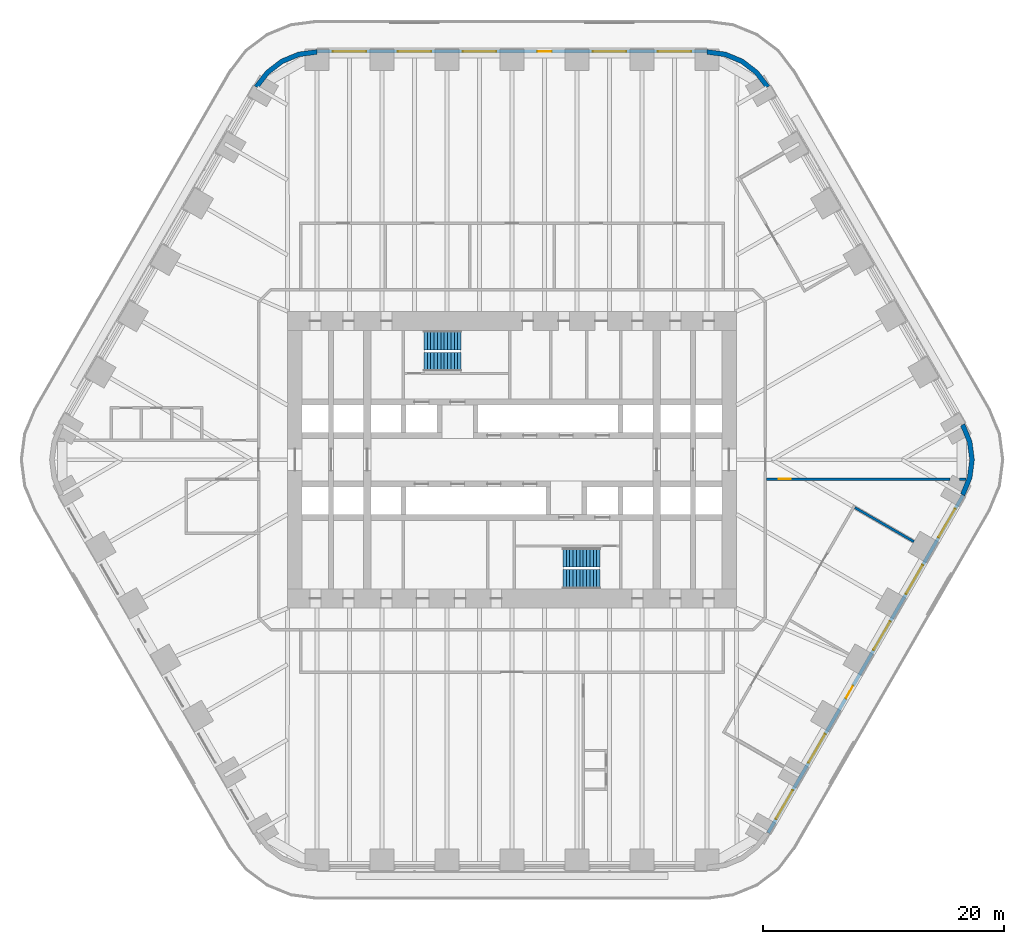
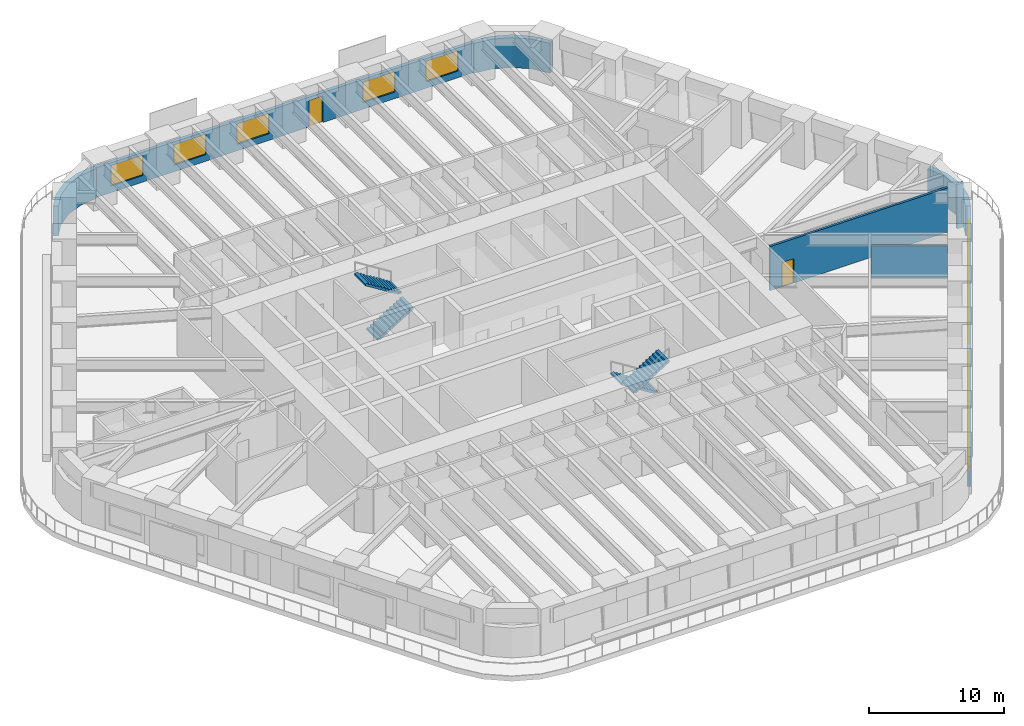
# One storey, part 20 of 23: 10 windows, 8 walls, 4 stair flights, 3 doors, 13 openings, 2 elements without a shape of their own.
"""IFC4 building model written with IfcOpenShell, lengths in metres."""

from ifc_helpers import new_model, si_unit, direction, frame, frame_2d, origin, place, context, subcontext, project, spatial, polyline, rectangle, outline, extrude, material, layer, layer_set, type_object, element, fill, aggregate, save


model = new_model("IFC4")

# Units and contexts
model_context = context("Model", 3, precision=1e-05, world=origin(), true_north=direction((0.0, 1.0)))
body_context = subcontext(model_context, "Body", "Model", "MODEL_VIEW")
ifc_project = project(units=[si_unit("LENGTHUNIT", "METRE"), si_unit("AREAUNIT", "SQUARE_METRE"), si_unit("VOLUMEUNIT", "CUBIC_METRE"), si_unit("PLANEANGLEUNIT", "RADIAN"), si_unit("MASSUNIT", "GRAM", prefix="KILO")], contexts=[model_context])

# Site, building, storey
site_placement = place(None, origin())
site = spatial("IfcSite", under=ifc_project, at=site_placement, CompositionType="ELEMENT")
building_placement = place(site_placement, origin())
building = spatial("IfcBuilding", under=site, at=building_placement, Name="Tarfa Lantern Tower", CompositionType="ELEMENT")
storey_placement = place(building_placement, frame((0.0, 0.0, 57.10009765625)))
storey = spatial("IfcBuildingStorey", under=building, at=storey_placement, Name="L12", CompositionType="ELEMENT", Elevation=57.10009765625)

# Wall, openings, door, windows
ifc_material_1 = material(Name="Limestone cladding on blockwork", Category="masonry")
ifc_layer_1 = layer(ifc_material_1, 0.300048828125)
ifc_layer_set_1 = layer_set([ifc_layer_1], Name="EW1 STONE-CLAD WALL 300")
wall_type_1 = type_object("IfcWallType", Name="EW1 STONE-CLAD WALL 300", PredefinedType="SOLIDWALL", material=ifc_layer_set_1)
wall_1_placement = place(storey_placement, frame((16.165771484375, 33.85009765625, 0.0), z_axis=(0.0, 0.0, 1.0), x_axis=(-1.0, 0.0, 0.0)))
wall_1 = element("IfcWall", 1, at=wall_1_placement, inside=storey, type_object=wall_type_1, Name="Stone wall N", PredefinedType="SOLIDWALL", context=body_context, shape_type="SweptSolid", body=[
    extrude(rectangle(XDim=32.33154296875, YDim=0.300048828125, at=frame_2d((16.165771484375, 0.0))), origin(), (0.0, 0.0, 1.0), 2.699951171875),
])
opening_1_placement = place(wall_1_placement, frame((1.3193359375, 0.0, 0.60009765625)))
opening_1 = element("IfcOpeningElement", 2, at=opening_1_placement, cuts=wall_1, Name="Opening W2", PredefinedType="OPENING", context=body_context, shape_type="SweptSolid", body=[
    extrude(rectangle(XDim=2.75, YDim=1.85009765625, at=frame_2d((1.375, 0.925048828125))), frame((0.0, 0.159912109375, 0.0), z_axis=(0.0, -1.0, 0.0), x_axis=(1.0, 0.0, 0.0)), (0.0, 0.0, 1.0), 0.320068359375),
])
opening_2_placement = place(wall_1_placement, frame((6.7080078125, 0.0, 0.60009765625)))
opening_2 = element("IfcOpeningElement", 3, at=opening_2_placement, cuts=wall_1, Name="Opening W2", PredefinedType="OPENING", context=body_context, shape_type="SweptSolid", body=[
    extrude(rectangle(XDim=2.75, YDim=1.85009765625, at=frame_2d((1.375, 0.925048828125))), frame((0.0, 0.159912109375, 0.0), z_axis=(0.0, -1.0, 0.0), x_axis=(1.0, 0.0, 0.0)), (0.0, 0.0, 1.0), 0.320068359375),
])
opening_3_placement = place(wall_1_placement, frame((12.87158203125, 0.0, 0.0)))
opening_3 = element("IfcOpeningElement", 4, at=opening_3_placement, cuts=wall_1, Name="Opening D49", PredefinedType="OPENING", context=body_context, shape_type="SweptSolid", body=[
    extrude(rectangle(XDim=1.199951171875, YDim=2.39990234375, at=frame_2d((0.60009765625, 1.199951171875))), frame((0.0, 0.159912109375, 0.0), z_axis=(0.0, -1.0, 0.0), x_axis=(1.0, 0.0, 0.0)), (0.0, 0.0, 1.0), 0.320068359375),
])
opening_4_placement = place(wall_1_placement, frame((17.485107421875, 0.0, 0.60009765625)))
opening_4 = element("IfcOpeningElement", 5, at=opening_4_placement, cuts=wall_1, Name="Opening W2", PredefinedType="OPENING", context=body_context, shape_type="SweptSolid", body=[
    extrude(rectangle(XDim=2.75, YDim=1.85009765625, at=frame_2d((1.375, 0.925048828125))), frame((0.0, 0.159912109375, 0.0), z_axis=(0.0, -1.0, 0.0), x_axis=(1.0, 0.0, 0.0)), (0.0, 0.0, 1.0), 0.320068359375),
])
opening_5_placement = place(wall_1_placement, frame((22.873779296875, 0.0, 0.60009765625)))
opening_5 = element("IfcOpeningElement", 6, at=opening_5_placement, cuts=wall_1, Name="Opening W2", PredefinedType="OPENING", context=body_context, shape_type="SweptSolid", body=[
    extrude(rectangle(XDim=2.75, YDim=1.85009765625, at=frame_2d((1.375, 0.925048828125))), frame((0.0, 0.159912109375, 0.0), z_axis=(0.0, -1.0, 0.0), x_axis=(1.0, 0.0, 0.0)), (0.0, 0.0, 1.0), 0.320068359375),
])
opening_6_placement = place(wall_1_placement, frame((28.26220703125, 0.0, 0.60009765625)))
opening_6 = element("IfcOpeningElement", 7, at=opening_6_placement, cuts=wall_1, Name="Opening W2", PredefinedType="OPENING", context=body_context, shape_type="SweptSolid", body=[
    extrude(rectangle(XDim=2.75, YDim=1.85009765625, at=frame_2d((1.375, 0.925048828125))), frame((0.0, 0.159912109375, 0.0), z_axis=(0.0, -1.0, 0.0), x_axis=(1.0, 0.0, 0.0)), (0.0, 0.0, 1.0), 0.320068359375),
])
ifc_material_2 = material(Name="Aluminium framed glazed door", Category="aluminium")
door_type_1 = type_object("IfcDoorType", Name="BE3 BALCONY DOOR 1200x2400", OperationType="SINGLE_SWING_RIGHT", PredefinedType="DOOR", material=ifc_material_2)
door_1_placement = place(opening_3_placement, origin())
door_1 = element("IfcDoor", 8, at=door_1_placement, inside=storey, type_object=door_type_1, Name="Balcony door N", OperationType="SINGLE_SWING_RIGHT", OverallHeight=2.39990234375, OverallWidth=1.199951171875, PredefinedType="DOOR", context=body_context, shape_type="SweptSolid", body=[
    extrude(rectangle(XDim=1.199951171875, YDim=2.39990234375, at=frame_2d((0.60009765625, 1.199951171875))), frame((0.0, 0.02490234375, 0.0), z_axis=(0.0, -1.0, 0.0), x_axis=(1.0, 0.0, 0.0)), (0.0, 0.0, 1.0), 0.050048828125),
])
fill(opening_3, door_1)
ifc_material_3 = material(Name="Aluminium frame, double glazed", Category="aluminium")
window_type = type_object("IfcWindowType", Name="W2 FULL-HEIGHT GLAZING 2750x1850", PartitioningType="SINGLE_PANEL", PredefinedType="WINDOW", material=ifc_material_3)
window_1_placement = place(opening_1_placement, origin())
window_1 = element("IfcWindow", 9, at=window_1_placement, inside=storey, type_object=window_type, Name="Window N 1", OverallHeight=1.85009765625, OverallWidth=2.75, PartitioningType="SINGLE_PANEL", PredefinedType="WINDOW", context=body_context, shape_type="SweptSolid", body=[
    extrude(rectangle(XDim=2.75, YDim=1.85009765625, at=frame_2d((1.375, 0.925048828125))), frame((0.0, 0.030029296875, 0.0), z_axis=(0.0, -1.0, 0.0), x_axis=(1.0, 0.0, 0.0)), (0.0, 0.0, 1.0), 0.06005859375),
])
fill(opening_1, window_1)
window_2_placement = place(opening_2_placement, origin())
window_2 = element("IfcWindow", 10, at=window_2_placement, inside=storey, type_object=window_type, Name="Window N 2", OverallHeight=1.85009765625, OverallWidth=2.75, PartitioningType="SINGLE_PANEL", PredefinedType="WINDOW", context=body_context, shape_type="SweptSolid", body=[
    extrude(rectangle(XDim=2.75, YDim=1.85009765625, at=frame_2d((1.375, 0.925048828125))), frame((0.0, 0.030029296875, 0.0), z_axis=(0.0, -1.0, 0.0), x_axis=(1.0, 0.0, 0.0)), (0.0, 0.0, 1.0), 0.06005859375),
])
fill(opening_2, window_2)
window_3_placement = place(opening_4_placement, origin())
window_3 = element("IfcWindow", 11, at=window_3_placement, inside=storey, type_object=window_type, Name="Window N 4", OverallHeight=1.85009765625, OverallWidth=2.75, PartitioningType="SINGLE_PANEL", PredefinedType="WINDOW", context=body_context, shape_type="SweptSolid", body=[
    extrude(rectangle(XDim=2.75, YDim=1.85009765625, at=frame_2d((1.375, 0.925048828125))), frame((0.0, 0.030029296875, 0.0), z_axis=(0.0, -1.0, 0.0), x_axis=(1.0, 0.0, 0.0)), (0.0, 0.0, 1.0), 0.06005859375),
])
fill(opening_4, window_3)
window_4_placement = place(opening_5_placement, origin())
window_4 = element("IfcWindow", 12, at=window_4_placement, inside=storey, type_object=window_type, Name="Window N 5", OverallHeight=1.85009765625, OverallWidth=2.75, PartitioningType="SINGLE_PANEL", PredefinedType="WINDOW", context=body_context, shape_type="SweptSolid", body=[
    extrude(rectangle(XDim=2.75, YDim=1.85009765625, at=frame_2d((1.375, 0.925048828125))), frame((0.0, 0.030029296875, 0.0), z_axis=(0.0, -1.0, 0.0), x_axis=(1.0, 0.0, 0.0)), (0.0, 0.0, 1.0), 0.06005859375),
])
fill(opening_5, window_4)
window_5_placement = place(opening_6_placement, origin())
window_5 = element("IfcWindow", 13, at=window_5_placement, inside=storey, type_object=window_type, Name="Window N 6", OverallHeight=1.85009765625, OverallWidth=2.75, PartitioningType="SINGLE_PANEL", PredefinedType="WINDOW", context=body_context, shape_type="SweptSolid", body=[
    extrude(rectangle(XDim=2.75, YDim=1.85009765625, at=frame_2d((1.375, 0.925048828125))), frame((0.0, 0.030029296875, 0.0), z_axis=(0.0, -1.0, 0.0), x_axis=(1.0, 0.0, 0.0)), (0.0, 0.0, 1.0), 0.06005859375),
])
fill(opening_6, window_5)

wall_2_placement = place(storey_placement, frame((21.232177734375, -30.925048828125, 0.0), z_axis=(0.0, 0.0, 1.0), x_axis=(0.499999163675, 0.866025886636, 0.0)))
wall_2 = element("IfcWall", 14, at=wall_2_placement, inside=storey, type_object=wall_type_1, Name="Stone wall SE", PredefinedType="SOLIDWALL", context=body_context, shape_type="SweptSolid", body=[
    extrude(rectangle(XDim=32.33154296875, YDim=0.300048828125, at=frame_2d((16.165771484375, 0.0))), origin(), (0.0, 0.0, 1.0), 2.699951171875),
])
opening_7_placement = place(wall_2_placement, frame((1.3193359375, 0.0, 0.60009765625)))
opening_7 = element("IfcOpeningElement", 15, at=opening_7_placement, cuts=wall_2, Name="Opening W2", PredefinedType="OPENING", context=body_context, shape_type="SweptSolid", body=[
    extrude(rectangle(XDim=2.75, YDim=1.85009765625, at=frame_2d((1.375, 0.925048828125))), frame((0.0, 0.159912109375, 0.0), z_axis=(0.0, -1.0, 0.0), x_axis=(1.0, 0.0, 0.0)), (0.0, 0.0, 1.0), 0.320068359375),
])
opening_8_placement = place(wall_2_placement, frame((6.7080078125, 0.0, 0.60009765625)))
opening_8 = element("IfcOpeningElement", 16, at=opening_8_placement, cuts=wall_2, Name="Opening W2", PredefinedType="OPENING", context=body_context, shape_type="SweptSolid", body=[
    extrude(rectangle(XDim=2.75, YDim=1.85009765625, at=frame_2d((1.375, 0.925048828125))), frame((0.0, 0.159912109375, 0.0), z_axis=(0.0, -1.0, 0.0), x_axis=(1.0, 0.0, 0.0)), (0.0, 0.0, 1.0), 0.320068359375),
])
opening_9_placement = place(wall_2_placement, frame((12.87158203125, 0.0, 0.0)))
opening_9 = element("IfcOpeningElement", 17, at=opening_9_placement, cuts=wall_2, Name="Opening D50", PredefinedType="OPENING", context=body_context, shape_type="SweptSolid", body=[
    extrude(rectangle(XDim=1.199951171875, YDim=2.39990234375, at=frame_2d((0.60009765625, 1.199951171875))), frame((0.0, 0.159912109375, 0.0), z_axis=(0.0, -1.0, 0.0), x_axis=(1.0, 0.0, 0.0)), (0.0, 0.0, 1.0), 0.320068359375),
])
opening_10_placement = place(wall_2_placement, frame((17.485107421875, 0.0, 0.60009765625)))
opening_10 = element("IfcOpeningElement", 18, at=opening_10_placement, cuts=wall_2, Name="Opening W2", PredefinedType="OPENING", context=body_context, shape_type="SweptSolid", body=[
    extrude(rectangle(XDim=2.75, YDim=1.85009765625, at=frame_2d((1.375, 0.925048828125))), frame((0.0, 0.159912109375, 0.0), z_axis=(0.0, -1.0, 0.0), x_axis=(1.0, 0.0, 0.0)), (0.0, 0.0, 1.0), 0.320068359375),
])
opening_11_placement = place(wall_2_placement, frame((22.873779296875, 0.0, 0.60009765625)))
opening_11 = element("IfcOpeningElement", 19, at=opening_11_placement, cuts=wall_2, Name="Opening W2", PredefinedType="OPENING", context=body_context, shape_type="SweptSolid", body=[
    extrude(rectangle(XDim=2.75, YDim=1.85009765625, at=frame_2d((1.375, 0.925048828125))), frame((0.0, 0.159912109375, 0.0), z_axis=(0.0, -1.0, 0.0), x_axis=(1.0, 0.0, 0.0)), (0.0, 0.0, 1.0), 0.320068359375),
])
opening_12_placement = place(wall_2_placement, frame((28.26220703125, 0.0, 0.60009765625)))
opening_12 = element("IfcOpeningElement", 20, at=opening_12_placement, cuts=wall_2, Name="Opening W2", PredefinedType="OPENING", context=body_context, shape_type="SweptSolid", body=[
    extrude(rectangle(XDim=2.75, YDim=1.85009765625, at=frame_2d((1.375, 0.925048828125))), frame((0.0, 0.159912109375, 0.0), z_axis=(0.0, -1.0, 0.0), x_axis=(1.0, 0.0, 0.0)), (0.0, 0.0, 1.0), 0.320068359375),
])
door_2_placement = place(opening_9_placement, origin())
door_2 = element("IfcDoor", 21, at=door_2_placement, inside=storey, type_object=door_type_1, Name="Balcony door SE", OperationType="SINGLE_SWING_RIGHT", OverallHeight=2.39990234375, OverallWidth=1.199951171875, PredefinedType="DOOR", context=body_context, shape_type="SweptSolid", body=[
    extrude(rectangle(XDim=1.199951171875, YDim=2.39990234375, at=frame_2d((0.60009765625, 1.199951171875))), frame((0.0, 0.02490234375, 0.0), z_axis=(0.0, -1.0, 0.0), x_axis=(1.0, 0.0, 0.0)), (0.0, 0.0, 1.0), 0.050048828125),
])
fill(opening_9, door_2)
window_6_placement = place(opening_7_placement, origin())
window_6 = element("IfcWindow", 22, at=window_6_placement, inside=storey, type_object=window_type, Name="Window SE 1", OverallHeight=1.85009765625, OverallWidth=2.75, PartitioningType="SINGLE_PANEL", PredefinedType="WINDOW", context=body_context, shape_type="SweptSolid", body=[
    extrude(rectangle(XDim=2.75, YDim=1.85009765625, at=frame_2d((1.375, 0.925048828125))), frame((0.0, 0.030029296875, 0.0), z_axis=(0.0, -1.0, 0.0), x_axis=(1.0, 0.0, 0.0)), (0.0, 0.0, 1.0), 0.06005859375),
])
fill(opening_7, window_6)
window_7_placement = place(opening_8_placement, origin())
window_7 = element("IfcWindow", 23, at=window_7_placement, inside=storey, type_object=window_type, Name="Window SE 2", OverallHeight=1.85009765625, OverallWidth=2.75, PartitioningType="SINGLE_PANEL", PredefinedType="WINDOW", context=body_context, shape_type="SweptSolid", body=[
    extrude(rectangle(XDim=2.75, YDim=1.85009765625, at=frame_2d((1.375, 0.925048828125))), frame((0.0, 0.030029296875, 0.0), z_axis=(0.0, -1.0, 0.0), x_axis=(1.0, 0.0, 0.0)), (0.0, 0.0, 1.0), 0.06005859375),
])
fill(opening_8, window_7)
window_8_placement = place(opening_10_placement, origin())
window_8 = element("IfcWindow", 24, at=window_8_placement, inside=storey, type_object=window_type, Name="Window SE 4", OverallHeight=1.85009765625, OverallWidth=2.75, PartitioningType="SINGLE_PANEL", PredefinedType="WINDOW", context=body_context, shape_type="SweptSolid", body=[
    extrude(rectangle(XDim=2.75, YDim=1.85009765625, at=frame_2d((1.375, 0.925048828125))), frame((0.0, 0.030029296875, 0.0), z_axis=(0.0, -1.0, 0.0), x_axis=(1.0, 0.0, 0.0)), (0.0, 0.0, 1.0), 0.06005859375),
])
fill(opening_10, window_8)
window_9_placement = place(opening_11_placement, origin())
window_9 = element("IfcWindow", 25, at=window_9_placement, inside=storey, type_object=window_type, Name="Window SE 5", OverallHeight=1.85009765625, OverallWidth=2.75, PartitioningType="SINGLE_PANEL", PredefinedType="WINDOW", context=body_context, shape_type="SweptSolid", body=[
    extrude(rectangle(XDim=2.75, YDim=1.85009765625, at=frame_2d((1.375, 0.925048828125))), frame((0.0, 0.030029296875, 0.0), z_axis=(0.0, -1.0, 0.0), x_axis=(1.0, 0.0, 0.0)), (0.0, 0.0, 1.0), 0.06005859375),
])
fill(opening_11, window_9)
window_10_placement = place(opening_12_placement, origin())
window_10 = element("IfcWindow", 26, at=window_10_placement, inside=storey, type_object=window_type, Name="Window SE 6", OverallHeight=1.85009765625, OverallWidth=2.75, PartitioningType="SINGLE_PANEL", PredefinedType="WINDOW", context=body_context, shape_type="SweptSolid", body=[
    extrude(rectangle(XDim=2.75, YDim=1.85009765625, at=frame_2d((1.375, 0.925048828125))), frame((0.0, 0.030029296875, 0.0), z_axis=(0.0, -1.0, 0.0), x_axis=(1.0, 0.0, 0.0)), (0.0, 0.0, 1.0), 0.06005859375),
])
fill(opening_12, window_10)

# Walls
ifc_layer_2 = layer(ifc_material_1, 0.39990234375)
ifc_layer_set_2 = layer_set([ifc_layer_2], Name="EW2 CURVED STONE CORNER 400")
wall_type_2 = type_object("IfcWallType", Name="EW2 CURVED STONE CORNER 400", PredefinedType="SOLIDWALL", material=ifc_layer_set_2)
wall_3_placement = place(storey_placement, origin())
element("IfcWall", 27, at=wall_3_placement, inside=storey, type_object=wall_type_2, Name="Stone corner NE-N", PredefinedType="SOLIDWALL", context=body_context, shape_type="SweptSolid", body=[
    extrude(outline(polyline([(21.362060546875, 31.0), (20.408447265625, 32.24267578125), (19.165771484375, 33.196044921875), (17.71875, 33.795654296875), (16.165771484375, 34.0), (16.165771484375, 33.60009765625), (17.615234375, 33.4091796875), (18.9658203125, 32.849853515625), (20.12548828125, 31.959716796875), (21.015625, 30.800048828125), (21.362060546875, 31.0)])), origin(), (0.0, 0.0, 1.0), 2.699951171875),
])
wall_4_placement = place(storey_placement, origin())
element("IfcWall", 28, at=wall_4_placement, inside=storey, type_object=wall_type_2, Name="Stone corner N-NW", PredefinedType="SOLIDWALL", context=body_context, shape_type="SweptSolid", body=[
    extrude(outline(polyline([(-16.165771484375, 34.0), (-17.71875, 33.795654296875), (-19.165771484375, 33.196044921875), (-20.408447265625, 32.24267578125), (-21.362060546875, 31.0), (-21.015625, 30.800048828125), (-20.12548828125, 31.959716796875), (-18.9658203125, 32.849853515625), (-17.615234375, 33.4091796875), (-16.165771484375, 33.60009765625), (-16.165771484375, 34.0)])), origin(), (0.0, 0.0, 1.0), 2.699951171875),
])
wall_5_placement = place(storey_placement, origin())
element("IfcWall", 29, at=wall_5_placement, inside=storey, type_object=wall_type_2, Name="Stone corner SE-NE", PredefinedType="SOLIDWALL", context=body_context, shape_type="SweptSolid", body=[
    extrude(outline(polyline([(37.52783203125, -3.0), (38.127197265625, -1.552978515625), (38.33154296875, 0.0), (38.127197265625, 1.552978515625), (37.52783203125, 3.0), (37.181396484375, 2.800048828125), (37.74072265625, 1.449462890625), (37.931640625, 0.0), (37.74072265625, -1.449462890625), (37.181396484375, -2.800048828125), (37.52783203125, -3.0)])), origin(), (0.0, 0.0, 1.0), 2.699951171875),
])
ifc_material_4 = material(Name="Gypsum board on steel studs", Category="steel")
ifc_layer_3 = layer(ifc_material_4, 0.2099609375)
ifc_layer_set_3 = layer_set([ifc_layer_3], Name="IW2 ACOUSTIC PARTITION 200")
wall_type_3 = type_object("IfcWallType", Name="IW2 ACOUSTIC PARTITION 200", PredefinedType="PARTITIONING", material=ifc_layer_set_3)
wall_6_placement = place(storey_placement, frame((28.4248046875, -3.966552734375, 0.0), z_axis=(0.0, 0.0, 1.0), x_axis=(0.866011447264, -0.500024172624, 0.0)))
element("IfcWall", 30, at=wall_6_placement, inside=storey, type_object=wall_type_3, Name="Partition", PredefinedType="PARTITIONING", context=body_context, shape_type="SweptSolid", body=[
    extrude(rectangle(XDim=5.650146484375, YDim=0.199951171875, at=frame_2d((2.8251953125, 0.0))), origin(), (0.0, 0.0, 1.0), 2.94384765625),
])

# Wall, opening, door
wall_7_placement = place(storey_placement, frame((21.10009765625, -1.60009765625, 0.0), z_axis=(0.0, 0.0, 1.0), x_axis=(1.0, 0.0, 0.0)))
wall_7 = element("IfcWall", 31, at=wall_7_placement, inside=storey, type_object=wall_type_3, Name="Partition", PredefinedType="PARTITIONING", context=body_context, shape_type="SweptSolid", body=[
    extrude(rectangle(XDim=15.21533203125, YDim=0.199951171875, at=frame_2d((7.607666015625, 0.0))), origin(), (0.0, 0.0, 1.0), 4.0),
])
opening_13_placement = place(wall_7_placement, frame((1.021484375, 0.0, 0.0)))
opening_13 = element("IfcOpeningElement", 32, at=opening_13_placement, cuts=wall_7, Name="Opening D46", PredefinedType="OPENING", context=body_context, shape_type="SweptSolid", body=[
    extrude(rectangle(XDim=1.0, YDim=2.199951171875, at=frame_2d((0.5, 1.10009765625))), frame((0.0, 0.10986328125, 0.0), z_axis=(0.0, -1.0, 0.0), x_axis=(1.0, 0.0, 0.0)), (0.0, 0.0, 1.0), 0.219970703125),
])
ifc_material_5 = material(Name="Timber door", Category="wood")
door_type_2 = type_object("IfcDoorType", Name="DR1 ROOM DOOR 1000x2200", OperationType="SINGLE_SWING_LEFT", PredefinedType="DOOR", material=ifc_material_5)
door_3_placement = place(opening_13_placement, frame((1.0, 0.0, 0.0), z_axis=(0.0, 0.0, 1.0), x_axis=(-1.0, 0.0, 0.0)))
door_3 = element("IfcDoor", 33, at=door_3_placement, inside=storey, type_object=door_type_2, Name="Zone door", OperationType="SINGLE_SWING_LEFT", OverallHeight=2.199951171875, OverallWidth=1.0, PredefinedType="DOOR", context=body_context, shape_type="SweptSolid", body=[
    extrude(rectangle(XDim=1.0, YDim=2.199951171875, at=frame_2d((0.5, 1.10009765625))), frame((0.0, 0.02490234375, 0.0), z_axis=(0.0, -1.0, 0.0), x_axis=(1.0, 0.0, 0.0)), (0.0, 0.0, 1.0), 0.050048828125),
])
fill(opening_13, door_3)

# Wall
wall_8_placement = place(storey_placement, frame((37.102783203125, -1.60009765625, 0.0), z_axis=(0.0, 0.0, 1.0), x_axis=(1.0, 0.0, 0.0)))
element("IfcWall", 34, at=wall_8_placement, inside=storey, type_object=wall_type_3, Name="Partition", PredefinedType="PARTITIONING", context=body_context, shape_type="SweptSolid", body=[
    extrude(rectangle(XDim=0.534423828125, YDim=0.199951171875, at=frame_2d((0.26708984375, 0.0))), origin(), (0.0, 0.0, 1.0), 4.0),
])

# Stair, stair flights
ifc_material_6 = material(Name="Concrete C40/50", Category="concrete")
stair_type = type_object("IfcStairType", Name="ST-T10 HALF-TURN STAIR 4200 RISE", PredefinedType="HALF_TURN_STAIR", material=ifc_material_6)
stair_1_placement = place(storey_placement, origin())
stair_1 = element("IfcStair", 35, at=stair_1_placement, inside=storey, type_object=stair_type, Name="Stair ST1", PredefinedType="HALF_TURN_STAIR")
stair_flight_type = type_object("IfcStairFlightType", Name="SF1 STAIR FLIGHT", PredefinedType="STRAIGHT", material=ifc_material_6)
stair_flight_1_placement = place(storey_placement, frame((-7.300048828125, 8.10009765625, 0.0), z_axis=(0.0, 0.0, 1.0), x_axis=(1.0, 0.0, 0.0)))
stair_flight_1 = element("IfcStairFlight", 36, at=stair_flight_1_placement, type_object=stair_flight_type, Name="ST1 flight 1", NumberOfRisers=12, NumberOfTreads=11, PredefinedType="STRAIGHT", RiserHeight=0.175, TreadLength=0.28, context=body_context, shape_type="SweptSolid", body=[
    extrude(outline(polyline([(0.0, 0.0), (0.0, 0.175048828125), (0.280029296875, 0.175048828125), (0.280029296875, 0.35009765625), (0.56005859375, 0.35009765625), (0.56005859375, 0.52490234375), (0.840087890625, 0.52490234375), (0.840087890625, 0.699951171875), (1.1201171875, 0.699951171875), (1.1201171875, 0.875), (1.39990234375, 0.875), (1.39990234375, 1.050048828125), (1.679931640625, 1.050048828125), (1.679931640625, 1.22509765625), (1.9599609375, 1.22509765625), (1.9599609375, 1.39990234375), (2.239990234375, 1.39990234375), (2.239990234375, 1.574951171875), (2.52001953125, 1.574951171875), (2.52001953125, 1.75), (2.800048828125, 1.75), (2.800048828125, 1.925048828125), (3.080078125, 1.925048828125), (3.080078125, 2.10009765625), (3.080078125, 1.748291015625), (0.28271484375, 0.0), (0.0, 0.0)])), frame((0.0, 0.800048828125, 0.0), z_axis=(0.0, -1.0, 0.0), x_axis=(1.0, 0.0, 0.0)), (0.0, 0.0, 1.0), 1.60009765625),
])
stair_flight_2_placement = place(storey_placement, frame((-4.219970703125, 9.89990234375, 2.099853515625), z_axis=(0.0, 0.0, 1.0), x_axis=(-1.0, 0.0, 0.0)))
stair_flight_2 = element("IfcStairFlight", 37, at=stair_flight_2_placement, type_object=stair_flight_type, Name="ST1 flight 2", NumberOfRisers=12, NumberOfTreads=11, PredefinedType="STRAIGHT", RiserHeight=0.175, TreadLength=0.28, context=body_context, shape_type="SweptSolid", body=[
    extrude(outline(polyline([(0.0, 0.0), (0.0, 0.175048828125), (0.280029296875, 0.175048828125), (0.280029296875, 0.35009765625), (0.56005859375, 0.35009765625), (0.56005859375, 0.52490234375), (0.840087890625, 0.52490234375), (0.840087890625, 0.699951171875), (1.1201171875, 0.699951171875), (1.1201171875, 0.875), (1.39990234375, 0.875), (1.39990234375, 1.050048828125), (1.679931640625, 1.050048828125), (1.679931640625, 1.22509765625), (1.9599609375, 1.22509765625), (1.9599609375, 1.39990234375), (2.239990234375, 1.39990234375), (2.239990234375, 1.574951171875), (2.52001953125, 1.574951171875), (2.52001953125, 1.75), (2.800048828125, 1.75), (2.800048828125, 1.925048828125), (3.080078125, 1.925048828125), (3.080078125, 2.10009765625), (3.080078125, 1.748291015625), (0.28271484375, 0.0), (0.0, 0.0)])), frame((0.0, 0.800048828125, 0.0), z_axis=(0.0, -1.0, 0.0), x_axis=(1.0, 0.0, 0.0)), (0.0, 0.0, 1.0), 1.60009765625),
])
aggregate(stair_1, [stair_flight_1, stair_flight_2])

stair_2_placement = place(storey_placement, origin())
stair_2 = element("IfcStair", 38, at=stair_2_placement, inside=storey, type_object=stair_type, Name="Stair ST2", PredefinedType="HALF_TURN_STAIR")
stair_flight_3_placement = place(storey_placement, frame((7.300048828125, -8.10009765625, 0.0), z_axis=(0.0, 0.0, 1.0), x_axis=(-1.0, 0.0, 0.0)))
stair_flight_3 = element("IfcStairFlight", 39, at=stair_flight_3_placement, type_object=stair_flight_type, Name="ST2 flight 1", NumberOfRisers=12, NumberOfTreads=11, PredefinedType="STRAIGHT", RiserHeight=0.175, TreadLength=0.28, context=body_context, shape_type="SweptSolid", body=[
    extrude(outline(polyline([(0.0, 0.0), (0.0, 0.175048828125), (0.280029296875, 0.175048828125), (0.280029296875, 0.35009765625), (0.56005859375, 0.35009765625), (0.56005859375, 0.52490234375), (0.840087890625, 0.52490234375), (0.840087890625, 0.699951171875), (1.1201171875, 0.699951171875), (1.1201171875, 0.875), (1.39990234375, 0.875), (1.39990234375, 1.050048828125), (1.679931640625, 1.050048828125), (1.679931640625, 1.22509765625), (1.9599609375, 1.22509765625), (1.9599609375, 1.39990234375), (2.239990234375, 1.39990234375), (2.239990234375, 1.574951171875), (2.52001953125, 1.574951171875), (2.52001953125, 1.75), (2.800048828125, 1.75), (2.800048828125, 1.925048828125), (3.080078125, 1.925048828125), (3.080078125, 2.10009765625), (3.080078125, 1.748291015625), (0.28271484375, 0.0), (0.0, 0.0)])), frame((0.0, 0.800048828125, 0.0), z_axis=(0.0, -1.0, 0.0), x_axis=(1.0, 0.0, 0.0)), (0.0, 0.0, 1.0), 1.60009765625),
])
stair_flight_4_placement = place(storey_placement, frame((4.219970703125, -9.89990234375, 2.099853515625), z_axis=(0.0, 0.0, 1.0), x_axis=(1.0, 0.0, 0.0)))
stair_flight_4 = element("IfcStairFlight", 40, at=stair_flight_4_placement, type_object=stair_flight_type, Name="ST2 flight 2", NumberOfRisers=12, NumberOfTreads=11, PredefinedType="STRAIGHT", RiserHeight=0.175, TreadLength=0.28, context=body_context, shape_type="SweptSolid", body=[
    extrude(outline(polyline([(0.0, 0.0), (0.0, 0.175048828125), (0.280029296875, 0.175048828125), (0.280029296875, 0.35009765625), (0.56005859375, 0.35009765625), (0.56005859375, 0.52490234375), (0.840087890625, 0.52490234375), (0.840087890625, 0.699951171875), (1.1201171875, 0.699951171875), (1.1201171875, 0.875), (1.39990234375, 0.875), (1.39990234375, 1.050048828125), (1.679931640625, 1.050048828125), (1.679931640625, 1.22509765625), (1.9599609375, 1.22509765625), (1.9599609375, 1.39990234375), (2.239990234375, 1.39990234375), (2.239990234375, 1.574951171875), (2.52001953125, 1.574951171875), (2.52001953125, 1.75), (2.800048828125, 1.75), (2.800048828125, 1.925048828125), (3.080078125, 1.925048828125), (3.080078125, 2.10009765625), (3.080078125, 1.748291015625), (0.28271484375, 0.0), (0.0, 0.0)])), frame((0.0, 0.800048828125, 0.0), z_axis=(0.0, -1.0, 0.0), x_axis=(1.0, 0.0, 0.0)), (0.0, 0.0, 1.0), 1.60009765625),
])
aggregate(stair_2, [stair_flight_3, stair_flight_4])

save(model, "model.ifc")
